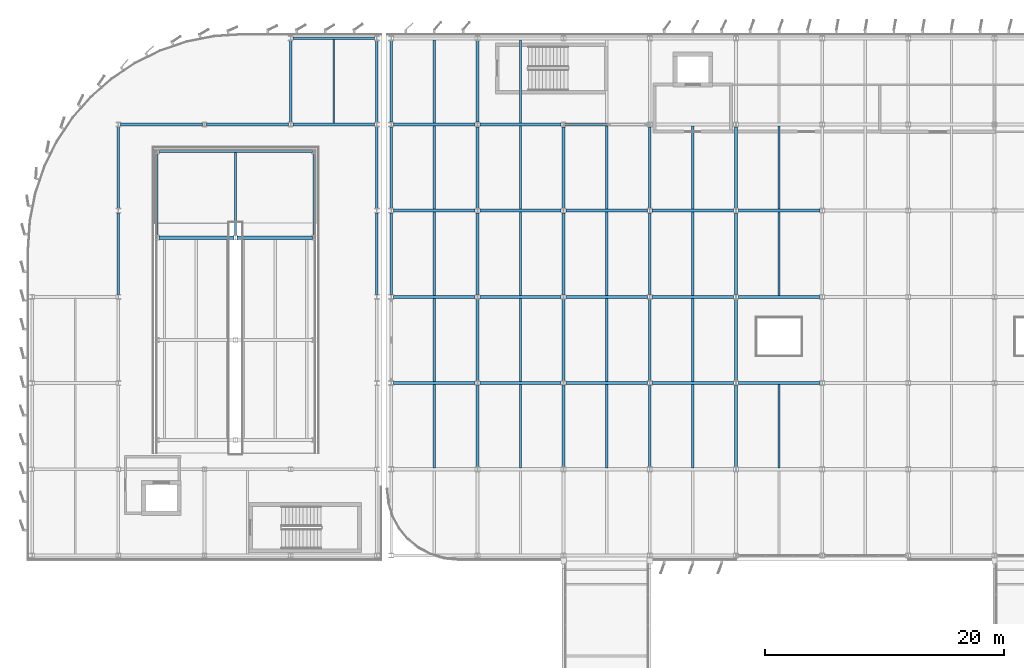
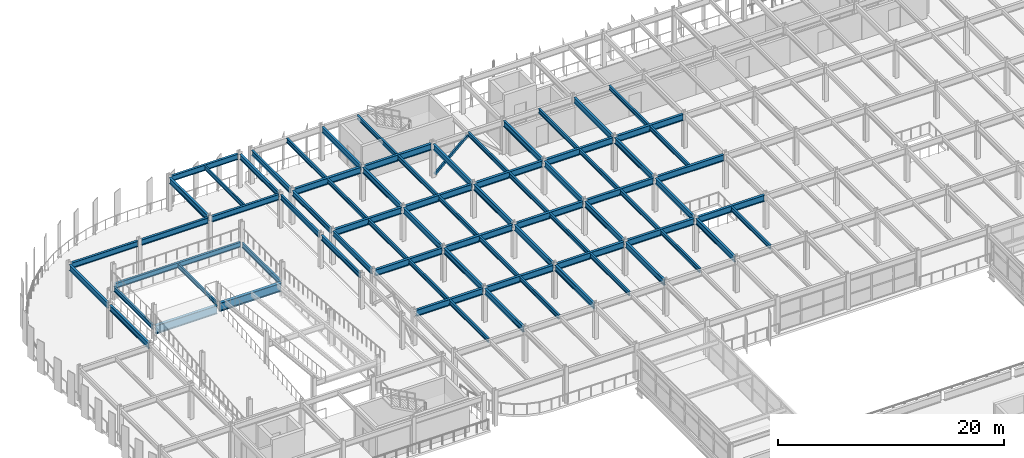
# One storey, part 25 of 93: 75 beams, 1 member.
"""IFC4 building model written with IfcOpenShell, lengths in metres."""

import ifcopenshell
import ifcopenshell.guid

model = None  # the IFC model being written
_history = None  # IfcOwnerHistory: only IFC2X3 demands one
_inside = {}  # id of a spatial element -> (the spatial element, [elements in it])
_under = {}  # id of a project, library or spatial element -> (it, [spatial elements below it])
_declared = {}  # id of a project -> (the project, [libraries it declares])
_typed = {}  # id of a type object -> (the type object, [elements of that type])
_made_of = {}  # id of a material, layer set ... -> (it, [elements and type objects made of it])


def new_model(schema):
    """Start an empty IFC model of exactly this schema.

    Asked for "IFC4X3", IfcOpenShell would pick the latest addendum, in which some entities
    have other attributes; the version numbers below select the first issue.
    IFC2X3 requires an IfcOwnerHistory on every rooted entity: one is made here for all.
    """
    global model, _history
    if schema == "IFC4X3":
        model = ifcopenshell.file(schema_version=(4, 3, 0, 0))
    else:
        model = ifcopenshell.file(schema=schema)
    _inside.clear()
    _under.clear()
    _declared.clear()
    _typed.clear()
    _made_of.clear()
    _history = None
    if model.schema == "IFC2X3":
        org = make("IfcOrganization", Name="unknown")
        user = make(
            "IfcPersonAndOrganization",
            ThePerson=make("IfcPerson", FamilyName="unknown"),
            TheOrganization=org,
        )
        app = make(
            "IfcApplication",
            ApplicationDeveloper=org,
            Version="unknown",
            ApplicationFullName="unknown",
            ApplicationIdentifier="unknown",
        )
        _history = make(
            "IfcOwnerHistory",
            OwningUser=user,
            OwningApplication=app,
            ChangeAction="ADDED",
            CreationDate=0,
        )
    return model


def make(cls, **values):
    """One entity of the class cls with the attributes given. An attribute that is None is left unset."""
    return model.create_entity(
        cls, **{name: value for name, value in values.items() if value is not None}
    )


def rooted(cls, **values):
    """An entity with a GlobalId (a new one), such as an element, a storey or a relation."""
    return make(cls, GlobalId=ifcopenshell.guid.new(), OwnerHistory=_history, **values)


def si_unit(unit_type, name, prefix=None):
    """IfcSIUnit, for example si_unit("LENGTHUNIT", "METRE", prefix="MILLI")."""
    return make("IfcSIUnit", UnitType=unit_type, Prefix=prefix, Name=name)


def assignment(units):
    """IfcUnitAssignment: the units of a project."""
    return None if units is None else make("IfcUnitAssignment", Units=units)


def point(xyz):
    """IfcCartesianPoint."""
    return None if xyz is None else make("IfcCartesianPoint", Coordinates=xyz)


def direction(xyz):
    """IfcDirection."""
    return None if xyz is None else make("IfcDirection", DirectionRatios=xyz)


def frame(location, z_axis=None, x_axis=None):
    """IfcAxis2Placement3D, a coordinate frame: its origin and axes. An axis left out is left unset."""
    return make(
        "IfcAxis2Placement3D",
        Location=point(location),
        Axis=direction(z_axis),
        RefDirection=direction(x_axis),
    )


def frame_2d(location, x_axis=None):
    """IfcAxis2Placement2D, a coordinate frame in the plane: its origin and x axis."""
    return make(
        "IfcAxis2Placement2D", Location=point(location), RefDirection=direction(x_axis)
    )


def origin():
    """The frame at (0, 0, 0) with its axes left unset."""
    return frame((0.0, 0.0, 0.0))


def origin_2d():
    """The frame at (0, 0) in the plane with its x axis left unset."""
    return frame_2d((0.0, 0.0))


def place(relative_to, where):
    """IfcLocalPlacement: puts the frame where relative to a parent placement (None: the world)."""
    return make(
        "IfcLocalPlacement", PlacementRelTo=relative_to, RelativePlacement=where
    )


def context(
    kind, dimensions, precision=None, world=None, true_north=None, identifier=None
):
    """IfcGeometricRepresentationContext, for example the 3D "Model" context."""
    return make(
        "IfcGeometricRepresentationContext",
        ContextIdentifier=identifier,
        ContextType=kind,
        CoordinateSpaceDimension=dimensions,
        Precision=precision,
        WorldCoordinateSystem=world,
        TrueNorth=true_north,
    )


def subcontext(parent, identifier, kind, view, scale=None):
    """IfcGeometricRepresentationSubContext, for example "Body" below "Model"."""
    return make(
        "IfcGeometricRepresentationSubContext",
        ContextIdentifier=identifier,
        ContextType=kind,
        ParentContext=parent,
        TargetScale=scale,
        TargetView=view,
    )


def project(units=None, contexts=None):
    """IfcProject with its units and contexts."""
    return rooted(
        "IfcProject",
        Name="project",
        RepresentationContexts=contexts,
        UnitsInContext=assignment(units),
    )


def spatial(cls, under=None, at=None, **own):
    """A site, building, storey or space (cls), placed at a placement, below another one or the project."""
    s = rooted(cls, ObjectPlacement=at, **own)
    if under is not None:
        _under.setdefault(under.id(), (under, []))[1].append(s)
    return s


def profile(cls, at=None, kind="AREA", **sizes):
    """A parametric profile (cls). Its sizes go by their IFC names, for example OverallWidth=200.0."""
    return make(cls, ProfileType=kind, Position=at, **sizes)


def hollow_rectangle(**sizes):
    """IfcRectangleHollowProfileDef."""
    return profile("IfcRectangleHollowProfileDef", **sizes)


def i_section(**sizes):
    """IfcIShapeProfileDef."""
    return profile("IfcIShapeProfileDef", **sizes)


def extrude(swept, where, along, depth):
    """IfcExtrudedAreaSolid: the profile swept, set in the frame where, extruded along a direction by depth."""
    return make(
        "IfcExtrudedAreaSolid",
        SweptArea=swept,
        Position=where,
        ExtrudedDirection=direction(along),
        Depth=depth,
    )


def shape(context_of_items, identifier, shape_type, items):
    """IfcShapeRepresentation: the items that make up one representation, for example the "Body"."""
    return make(
        "IfcShapeRepresentation",
        ContextOfItems=context_of_items,
        RepresentationIdentifier=identifier,
        RepresentationType=shape_type,
        Items=items,
    )


def material(Name=None, Category=None):
    """IfcMaterial."""
    return make("IfcMaterial", Name=Name, Category=Category)


def material_profile(
    of_material, cross_section, Name=None, Category=None, Priority=None
):
    """IfcMaterialProfile: a cross section and its material."""
    return make(
        "IfcMaterialProfile",
        Name=Name,
        Material=of_material,
        Profile=cross_section,
        Priority=Priority,
        Category=Category,
    )


def profile_set(profiles, Name=None, composite=None):
    """IfcMaterialProfileSet."""
    return make(
        "IfcMaterialProfileSet",
        Name=Name,
        MaterialProfiles=profiles,
        CompositeProfile=composite,
    )


def made_of(thing, what):
    """Note that an element or type object is made of a material, layer set ...; save() writes the relation."""
    if what is not None:
        _made_of.setdefault(what.id(), (what, []))[1].append(thing)
    return thing


def type_object(cls, material=None, **own):
    """A type object (cls), such as IfcWallType, which elements share."""
    return made_of(rooted(cls, **own), material)


def element(
    cls,
    number,
    at=None,
    inside=None,
    cuts=None,
    type_object=None,
    material=None,
    context=None,
    identifier="Body",
    shape_type=None,
    held_by="IfcProductDefinitionShape",
    body=None,
    shapes=None,
    **own,
):
    """One element of the class cls, such as IfcWall. Its Tag is "e" and its number.

    at: its placement. inside: the storey or other place that contains it. cuts: it is an
    opening in that element (IfcRelVoidsElement). A single representation is given by context,
    identifier, shape_type and body (its items); several are given by shapes. held_by: the class
    of the entity that holds the representations. save() writes the other relations.
    """
    e = rooted(cls, Tag="e%d" % number, ObjectPlacement=at, **own)
    if body is not None:
        shapes = [shape(context, identifier, shape_type, body)]
    if shapes is not None:
        e.Representation = make(held_by, Representations=shapes)
    if inside is not None:
        _inside.setdefault(inside.id(), (inside, []))[1].append(e)
    if cuts is not None:
        rooted(
            "IfcRelVoidsElement", RelatingBuildingElement=cuts, RelatedOpeningElement=e
        )
    if type_object is not None:
        _typed.setdefault(type_object.id(), (type_object, []))[1].append(e)
    return made_of(e, material)


def aggregate(whole, parts):
    """IfcRelAggregates: a whole, such as a stair, and the parts it consists of."""
    return rooted("IfcRelAggregates", RelatingObject=whole, RelatedObjects=parts)


def save(model, path):
    """Write the relations noted so far, then the file.

    IfcRelAggregates (storeys below a building ...), IfcRelContainedInSpatialStructure (elements
    in a storey), IfcRelDefinesByType, IfcRelAssociatesMaterial and IfcRelDeclares: one each for
    every whole, place, type object, material and project.
    """
    for whole, parts in _under.values():
        aggregate(whole, parts)
    for where, things in _inside.values():
        rooted(
            "IfcRelContainedInSpatialStructure",
            RelatedElements=things,
            RelatingStructure=where,
        )
    for kind, things in _typed.values():
        rooted("IfcRelDefinesByType", RelatedObjects=things, RelatingType=kind)
    for what, things in _made_of.values():
        rooted("IfcRelAssociatesMaterial", RelatedObjects=things, RelatingMaterial=what)
    for by, libraries in _declared.values():
        rooted("IfcRelDeclares", RelatingContext=by, RelatedDefinitions=libraries)
    model.write(path)


model = new_model("IFC4")

# Units and contexts
model_context = context("Model", 3, precision=1e-05, world=origin(), true_north=direction((0.0, 1.0)))
body_context = subcontext(model_context, "Body", "Model", "MODEL_VIEW")
ifc_project = project(units=[si_unit("LENGTHUNIT", "METRE"), si_unit("AREAUNIT", "SQUARE_METRE"), si_unit("VOLUMEUNIT", "CUBIC_METRE"), si_unit("PLANEANGLEUNIT", "RADIAN"), si_unit("MASSUNIT", "GRAM", prefix="KILO")], contexts=[model_context])

# Site, building, storey
site_placement = place(None, origin())
site = spatial("IfcSite", under=ifc_project, at=site_placement, CompositionType="ELEMENT")
building_placement = place(site_placement, origin())
building = spatial("IfcBuilding", under=site, at=building_placement, Name="Vaelcorin Mobility Hub", CompositionType="ELEMENT")
storey_placement = place(building_placement, frame((0.0, 0.0, 5.39990234375)))
storey = spatial("IfcBuildingStorey", under=building, at=storey_placement, Name="L01", CompositionType="ELEMENT", Elevation=5.39990234375)

# Beams
ifc_material_1 = material(Name="Steel ASTM A992 Grade 50", Category="steel")
ifc_material_profile_1 = material_profile(ifc_material_1, i_section(OverallWidth=0.152099609375, OverallDepth=0.455078125, WebThickness=0.008056640625, FlangeThickness=0.01318359375, FilletRadius=0.012939453125, at=origin_2d()), Name="W18X40")
ifc_profile_set_1 = profile_set([ifc_material_profile_1], Name="Steel ASTM A992 Grade 50")
beam_type_1 = type_object("IfcBeamType", Name="BM-W18X40", PredefinedType="JOIST", material=ifc_profile_set_1)
beam_1_placement = place(storey_placement, frame((31.199951171875, 112.912109375, 3.423095703125), z_axis=(0.0, 1.0, 0.0), x_axis=(-1.0, 0.0, 0.0)))
element("IfcBeam", 1, at=beam_1_placement, inside=storey, type_object=beam_type_1, Name="L01 Beam V2W-L01-J-04-06-1", PredefinedType="JOIST", context=body_context, shape_type="SweptSolid", body=[
    extrude(i_section(OverallWidth=0.152099609375, OverallDepth=0.455078125, WebThickness=0.008056640625, FlangeThickness=0.01318359375, FilletRadius=0.012939453125, at=origin_2d()), origin(), (0.0, 0.0, 1.0), 6.975830078125),
])
beam_2_placement = place(storey_placement, frame((23.0, 103.52490234375, 1.442138671875), z_axis=(0.0, 1.0, 0.0), x_axis=(-1.0, 0.0, 0.0)))
element("IfcBeam", 2, at=beam_2_placement, inside=storey, type_object=beam_type_1, Name="Vehicle Ramp VR-1 L01 Landing Mid Joist", PredefinedType="JOIST", context=body_context, shape_type="SweptSolid", body=[
    extrude(i_section(OverallWidth=0.152099609375, OverallDepth=0.455078125, WebThickness=0.008056640625, FlangeThickness=0.01318359375, FilletRadius=0.012939453125, at=origin_2d()), origin(), (0.0, 0.0, 1.0), 6.922119140625),
])
ifc_material_profile_2 = material_profile(ifc_material_1, i_section(OverallWidth=0.19189453125, OverallDepth=0.4619140625, WebThickness=0.010498046875, FlangeThickness=0.017578125, FilletRadius=0.012939453125, at=origin_2d()), Name="W18X60")
ifc_profile_set_2 = profile_set([ifc_material_profile_2], Name="Steel ASTM A992 Grade 50")
beam_type_2 = type_object("IfcBeamType", Name="BM-W18X60", PredefinedType="JOIST", material=ifc_profile_set_2)
for number, where, z_axis, x_axis, name in (
    (3, (39.60009765625, 84.125, 3.439208984375), (0.0, 1.0, 0.0), (-1.0, 0.0, 0.0), "L01 Beam V4-L01-J-01-02-1"),
    (4, (39.60009765625, 91.324951171875, 3.439208984375), (0.0, 1.0, 0.0), (-1.0, 0.0, 0.0), "L01 Beam V4-L01-J-01-03-1"),
):
    element("IfcBeam", number, at=place(storey_placement, frame(where, z_axis=z_axis, x_axis=x_axis)), inside=storey, type_object=beam_type_2, Name=name, PredefinedType="JOIST", context=body_context, shape_type="SweptSolid", body=[
        extrude(i_section(OverallWidth=0.19189453125, OverallDepth=0.4619140625, WebThickness=0.010498046875, FlangeThickness=0.017578125, FilletRadius=0.012939453125, at=origin_2d()), origin(), (0.0, 0.0, 1.0), 6.949951171875),
    ])
beam_3_placement = place(storey_placement, frame((39.60009765625, 98.52490234375, 3.439208984375), z_axis=(0.0, 1.0, 0.0), x_axis=(-1.0, 0.0, 0.0)))
element("IfcBeam", 5, at=beam_3_placement, inside=storey, type_object=beam_type_2, Name="L01 Beam V4-L01-J-01-04-1", PredefinedType="JOIST", context=body_context, shape_type="SweptSolid", body=[
    extrude(i_section(OverallWidth=0.19189453125, OverallDepth=0.4619140625, WebThickness=0.010498046875, FlangeThickness=0.017578125, FilletRadius=0.012939453125, at=origin_2d()), origin(), (0.0, 0.0, 1.0), 6.9501953125),
])
for number, where, z_axis, x_axis, name in (
    (6, (39.60009765625, 105.72509765625, 3.439208984375), (0.0, 1.0, 0.0), (-1.0, 0.0, 0.0), "L01 Beam V4-L01-J-01-05-1"),
    (7, (39.60009765625, 112.925048828125, 3.439208984375), (0.0, 1.0, 0.0), (-1.0, 0.0, 0.0), "L01 Beam V4-L01-J-01-06-1"),
    (8, (46.800048828125, 84.125, 3.439208984375), (0.0, 1.0, 0.0), (-1.0, 0.0, 0.0), "L01 Beam V4-L01-J-02-02-1"),
    (9, (46.800048828125, 91.324951171875, 3.439208984375), (0.0, 1.0, 0.0), (-1.0, 0.0, 0.0), "L01 Beam V4-L01-J-02-03-1"),
):
    element("IfcBeam", number, at=place(storey_placement, frame(where, z_axis=z_axis, x_axis=x_axis)), inside=storey, type_object=beam_type_2, Name=name, PredefinedType="JOIST", context=body_context, shape_type="SweptSolid", body=[
        extrude(i_section(OverallWidth=0.19189453125, OverallDepth=0.4619140625, WebThickness=0.010498046875, FlangeThickness=0.017578125, FilletRadius=0.012939453125, at=origin_2d()), origin(), (0.0, 0.0, 1.0), 6.949951171875),
    ])
beam_4_placement = place(storey_placement, frame((46.800048828125, 98.52490234375, 3.439208984375), z_axis=(0.0, 1.0, 0.0), x_axis=(-1.0, 0.0, 0.0)))
element("IfcBeam", 10, at=beam_4_placement, inside=storey, type_object=beam_type_2, Name="L01 Beam V4-L01-J-02-04-1", PredefinedType="JOIST", context=body_context, shape_type="SweptSolid", body=[
    extrude(i_section(OverallWidth=0.19189453125, OverallDepth=0.4619140625, WebThickness=0.010498046875, FlangeThickness=0.017578125, FilletRadius=0.012939453125, at=origin_2d()), origin(), (0.0, 0.0, 1.0), 6.9501953125),
])
for number, where, z_axis, x_axis, name in (
    (11, (46.800048828125, 105.72509765625, 3.439208984375), (0.0, 1.0, 0.0), (-1.0, 0.0, 0.0), "L01 Beam V4-L01-J-02-05-1"),
    (12, (46.800048828125, 112.925048828125, 3.439208984375), (0.0, 1.0, 0.0), (-1.0, 0.0, 0.0), "L01 Beam V4-L01-J-02-06-1"),
    (13, (54.0, 84.125, 3.439208984375), (0.0, 1.0, 0.0), (-1.0, 0.0, 0.0), "L01 Beam V4-L01-J-03-02-1"),
    (14, (54.0, 91.324951171875, 3.439208984375), (0.0, 1.0, 0.0), (-1.0, 0.0, 0.0), "L01 Beam V4-L01-J-03-03-1"),
):
    element("IfcBeam", number, at=place(storey_placement, frame(where, z_axis=z_axis, x_axis=x_axis)), inside=storey, type_object=beam_type_2, Name=name, PredefinedType="JOIST", context=body_context, shape_type="SweptSolid", body=[
        extrude(i_section(OverallWidth=0.19189453125, OverallDepth=0.4619140625, WebThickness=0.010498046875, FlangeThickness=0.017578125, FilletRadius=0.012939453125, at=origin_2d()), origin(), (0.0, 0.0, 1.0), 6.949951171875),
    ])
beam_5_placement = place(storey_placement, frame((54.0, 98.52490234375, 3.439208984375), z_axis=(0.0, 1.0, 0.0), x_axis=(-1.0, 0.0, 0.0)))
element("IfcBeam", 15, at=beam_5_placement, inside=storey, type_object=beam_type_2, Name="L01 Beam V4-L01-J-03-04-1", PredefinedType="JOIST", context=body_context, shape_type="SweptSolid", body=[
    extrude(i_section(OverallWidth=0.19189453125, OverallDepth=0.4619140625, WebThickness=0.010498046875, FlangeThickness=0.017578125, FilletRadius=0.012939453125, at=origin_2d()), origin(), (0.0, 0.0, 1.0), 6.9501953125),
])
for number, where, z_axis, x_axis, name in (
    (16, (54.0, 105.72509765625, 3.439208984375), (0.0, 1.0, 0.0), (-1.0, 0.0, 0.0), "L01 Beam V4-L01-J-03-05-1"),
    (17, (61.199951171875, 84.125, 3.439208984375), (0.0, 1.0, 0.0), (-1.0, 0.0, 0.0), "L01 Beam V4-L01-J-04-02-1"),
    (18, (61.199951171875, 91.324951171875, 3.439208984375), (0.0, 1.0, 0.0), (-1.0, 0.0, 0.0), "L01 Beam V4-L01-J-04-03-1"),
):
    element("IfcBeam", number, at=place(storey_placement, frame(where, z_axis=z_axis, x_axis=x_axis)), inside=storey, type_object=beam_type_2, Name=name, PredefinedType="JOIST", context=body_context, shape_type="SweptSolid", body=[
        extrude(i_section(OverallWidth=0.19189453125, OverallDepth=0.4619140625, WebThickness=0.010498046875, FlangeThickness=0.017578125, FilletRadius=0.012939453125, at=origin_2d()), origin(), (0.0, 0.0, 1.0), 6.949951171875),
    ])
beam_6_placement = place(storey_placement, frame((61.199951171875, 98.52490234375, 3.439208984375), z_axis=(0.0, 1.0, 0.0), x_axis=(-1.0, 0.0, 0.0)))
element("IfcBeam", 19, at=beam_6_placement, inside=storey, type_object=beam_type_2, Name="L01 Beam V4-L01-J-04-04-1", PredefinedType="JOIST", context=body_context, shape_type="SweptSolid", body=[
    extrude(i_section(OverallWidth=0.19189453125, OverallDepth=0.4619140625, WebThickness=0.010498046875, FlangeThickness=0.017578125, FilletRadius=0.012939453125, at=origin_2d()), origin(), (0.0, 0.0, 1.0), 6.9501953125),
])
for number, where, z_axis, x_axis, name in (
    (20, (61.199951171875, 105.72509765625, 3.439208984375), (0.0, 1.0, 0.0), (-1.0, 0.0, 0.0), "L01 Beam V4-L01-J-04-05-1"),
    (21, (68.39990234375, 84.125, 3.439208984375), (0.0, 1.0, 0.0), (-1.0, 0.0, 0.0), "L01 Beam V4-L01-J-05-02-1"),
):
    element("IfcBeam", number, at=place(storey_placement, frame(where, z_axis=z_axis, x_axis=x_axis)), inside=storey, type_object=beam_type_2, Name=name, PredefinedType="JOIST", context=body_context, shape_type="SweptSolid", body=[
        extrude(i_section(OverallWidth=0.19189453125, OverallDepth=0.4619140625, WebThickness=0.010498046875, FlangeThickness=0.017578125, FilletRadius=0.012939453125, at=origin_2d()), origin(), (0.0, 0.0, 1.0), 6.949951171875),
    ])
beam_7_placement = place(storey_placement, frame((68.39990234375, 98.52490234375, 3.439208984375), z_axis=(0.0, 1.0, 0.0), x_axis=(-1.0, 0.0, 0.0)))
element("IfcBeam", 22, at=beam_7_placement, inside=storey, type_object=beam_type_2, Name="L01 Beam V4-L01-J-05-04-1", PredefinedType="JOIST", context=body_context, shape_type="SweptSolid", body=[
    extrude(i_section(OverallWidth=0.19189453125, OverallDepth=0.4619140625, WebThickness=0.010498046875, FlangeThickness=0.017578125, FilletRadius=0.012939453125, at=origin_2d()), origin(), (0.0, 0.0, 1.0), 6.9501953125),
])
beam_8_placement = place(storey_placement, frame((68.39990234375, 105.72509765625, 3.439208984375), z_axis=(0.0, 1.0, 0.0), x_axis=(-1.0, 0.0, 0.0)))
element("IfcBeam", 23, at=beam_8_placement, inside=storey, type_object=beam_type_2, Name="L01 Beam V4-L01-J-05-05-1", PredefinedType="JOIST", context=body_context, shape_type="SweptSolid", body=[
    extrude(i_section(OverallWidth=0.19189453125, OverallDepth=0.4619140625, WebThickness=0.010498046875, FlangeThickness=0.017578125, FilletRadius=0.012939453125, at=origin_2d()), origin(), (0.0, 0.0, 1.0), 6.949951171875),
])
ifc_material_profile_3 = material_profile(ifc_material_1, i_section(OverallWidth=0.166015625, OverallDepth=0.528076171875, WebThickness=0.009765625, FlangeThickness=0.013671875, FilletRadius=0.013916015625, at=origin_2d()), Name="W21X50")
ifc_profile_set_3 = profile_set([ifc_material_profile_3], Name="Steel ASTM A992 Grade 50")
beam_type_3 = type_object("IfcBeamType", Name="BM-W21X50", PredefinedType="JOIST", material=ifc_profile_set_3)
for number, where, z_axis, x_axis, name in (
    (24, (16.449951171875, 103.52490234375, 1.254150390625), (0.0, 1.0, 0.0), (-1.0, 0.0, 0.0), "Vehicle Ramp VR-1 L01 Landing West Edge Beam"),
    (25, (29.550048828125, 103.52490234375, 1.397216796875), (0.0, 1.0, 0.0), (-1.0, 0.0, 0.0), "Vehicle Ramp VR-1 L01 Landing East Edge Beam"),
):
    element("IfcBeam", number, at=place(storey_placement, frame(where, z_axis=z_axis, x_axis=x_axis)), inside=storey, type_object=beam_type_3, Name=name, PredefinedType="JOIST", context=body_context, shape_type="SweptSolid", body=[
        extrude(i_section(OverallWidth=0.166015625, OverallDepth=0.528076171875, WebThickness=0.009765625, FlangeThickness=0.013671875, FilletRadius=0.013916015625, at=origin_2d()), origin(), (0.0, 0.0, 1.0), 6.85009765625),
    ])
ifc_material_profile_4 = material_profile(ifc_material_1, i_section(OverallWidth=0.2099609375, OverallDepth=0.535888671875, WebThickness=0.010986328125, FlangeThickness=0.017333984375, FilletRadius=0.013916015625, at=origin_2d()), Name="W21X68")
ifc_profile_set_4 = profile_set([ifc_material_profile_4], Name="Steel ASTM A992 Grade 50")
beam_type_4 = type_object("IfcBeamType", Name="BM-W21X68", PredefinedType="SPANDREL", material=ifc_profile_set_4)
beam_9_placement = place(storey_placement, frame((36.0, 98.589111328125, 3.402099609375), z_axis=(0.0, 1.0, 0.0), x_axis=(-1.0, 0.0, 0.0)))
element("IfcBeam", 26, at=beam_9_placement, inside=storey, type_object=beam_type_4, Name="L01 Beam V4-L01-GY-01-04", PredefinedType="SPANDREL", context=body_context, shape_type="SweptSolid", body=[
    extrude(i_section(OverallWidth=0.2099609375, OverallDepth=0.535888671875, WebThickness=0.010986328125, FlangeThickness=0.017333984375, FilletRadius=0.013916015625, at=origin_2d()), origin(), (0.0, 0.0, 1.0), 6.82177734375),
])
for number, where, z_axis, x_axis, name in (
    (27, (36.0, 105.7880859375, 3.402099609375), (0.0, 1.0, 0.0), (-1.0, 0.0, 0.0), "L01 Beam V4-L01-GY-01-05"),
    (28, (36.0, 112.9951171875, 3.402099609375), (0.0, 1.0, 0.0), (-1.0, 0.0, 0.0), "L01 Beam V4-L01-GY-01-06"),
):
    element("IfcBeam", number, at=place(storey_placement, frame(where, z_axis=z_axis, x_axis=x_axis)), inside=storey, type_object=beam_type_4, Name=name, PredefinedType="SPANDREL", context=body_context, shape_type="SweptSolid", body=[
        extrude(i_section(OverallWidth=0.2099609375, OverallDepth=0.535888671875, WebThickness=0.010986328125, FlangeThickness=0.017333984375, FilletRadius=0.013916015625, at=origin_2d()), origin(), (0.0, 0.0, 1.0), 6.81689453125),
    ])
for number, where, z_axis, x_axis, name in (
    (29, (34.800048828125, 98.583984375, 3.382080078125), (0.0, 1.0, 0.0), (-1.0, 0.0, 0.0), "L01 Beam V2W-L01-GY-05-04"),
    (30, (34.800048828125, 105.783935546875, 3.382080078125), (0.0, 1.0, 0.0), (-1.0, 0.0, 0.0), "L01 Beam V2W-L01-GY-05-05"),
    (31, (34.800048828125, 112.98388671875, 3.382080078125), (0.0, 1.0, 0.0), (-1.0, 0.0, 0.0), "L01 Beam V2W-L01-GY-05-06"),
):
    element("IfcBeam", number, at=place(storey_placement, frame(where, z_axis=z_axis, x_axis=x_axis)), inside=storey, type_object=beam_type_4, Name=name, PredefinedType="SPANDREL", context=body_context, shape_type="SweptSolid", body=[
        extrude(i_section(OverallWidth=0.2099609375, OverallDepth=0.535888671875, WebThickness=0.010986328125, FlangeThickness=0.017333984375, FilletRadius=0.013916015625, at=origin_2d()), origin(), (0.0, 0.0, 1.0), 6.83203125),
    ])
beam_10_placement = place(storey_placement, frame((16.580078125, 110.550048828125, 1.402099609375), z_axis=(1.0, 0.0, 0.0), x_axis=(0.0, 1.0, 0.0)))
element("IfcBeam", 32, at=beam_10_placement, inside=storey, type_object=beam_type_4, Name="Vehicle Ramp VR-1 L01 Landing Back Girder", PredefinedType="SPANDREL", context=body_context, shape_type="SweptSolid", body=[
    extrude(i_section(OverallWidth=0.2099609375, OverallDepth=0.535888671875, WebThickness=0.010986328125, FlangeThickness=0.017333984375, FilletRadius=0.013916015625, at=origin_2d()), origin(), (0.0, 0.0, 1.0), 12.83984375),
])
ifc_material_profile_5 = material_profile(ifc_material_1, i_section(OverallWidth=0.22802734375, OverallDepth=0.60205078125, WebThickness=0.010498046875, FlangeThickness=0.014892578125, FilletRadius=0.014892578125, at=origin_2d()), Name="W24X68")
ifc_profile_set_5 = profile_set([ifc_material_profile_5], Name="Steel ASTM A992 Grade 50")
beam_type_5 = type_object("IfcBeamType", Name="BM-W24X68", PredefinedType="SPANDREL", material=ifc_profile_set_5)
beam_11_placement = place(storey_placement, frame((27.783935546875, 120.0, 3.34912109375), z_axis=(1.0, 0.0, 0.0), x_axis=(0.0, 1.0, 0.0)))
element("IfcBeam", 33, at=beam_11_placement, inside=storey, type_object=beam_type_5, Name="L01 Beam V2W-L01-GX-07-04", PredefinedType="SPANDREL", context=body_context, shape_type="SweptSolid", body=[
    extrude(i_section(OverallWidth=0.22802734375, OverallDepth=0.60205078125, WebThickness=0.010498046875, FlangeThickness=0.014892578125, FilletRadius=0.014892578125, at=origin_2d()), origin(), (0.0, 0.0, 1.0), 6.83203125),
])
ifc_material_profile_6 = material_profile(ifc_material_1, i_section(OverallWidth=0.22900390625, OverallDepth=0.612060546875, WebThickness=0.011962890625, FlangeThickness=0.01953125, FilletRadius=0.014892578125, at=origin_2d()), Name="W24X84")
ifc_profile_set_6 = profile_set([ifc_material_profile_6], Name="Steel ASTM A992 Grade 50")
beam_type_6 = type_object("IfcBeamType", Name="BM-W24X84", PredefinedType="BEAM", material=ifc_profile_set_6)
beam_12_placement = place(storey_placement, frame((43.199951171875, 84.195068359375, 3.364013671875), z_axis=(0.0, 1.0, 0.0), x_axis=(-1.0, 0.0, 0.0)))
element("IfcBeam", 34, at=beam_12_placement, inside=storey, type_object=beam_type_6, Name="L01 Beam V4-L01-GY-02-02", PredefinedType="BEAM", context=body_context, shape_type="SweptSolid", body=[
    extrude(i_section(OverallWidth=0.22900390625, OverallDepth=0.612060546875, WebThickness=0.011962890625, FlangeThickness=0.01953125, FilletRadius=0.014892578125, at=origin_2d()), origin(), (0.0, 0.0, 1.0), 6.81689453125),
])
beam_13_placement = place(storey_placement, frame((43.199951171875, 91.388916015625, 3.364013671875), z_axis=(0.0, 1.0, 0.0), x_axis=(-1.0, 0.0, 0.0)))
element("IfcBeam", 35, at=beam_13_placement, inside=storey, type_object=beam_type_6, Name="L01 Beam V4-L01-GY-02-03", PredefinedType="BEAM", context=body_context, shape_type="SweptSolid", body=[
    extrude(i_section(OverallWidth=0.22900390625, OverallDepth=0.612060546875, WebThickness=0.011962890625, FlangeThickness=0.01953125, FilletRadius=0.014892578125, at=origin_2d()), origin(), (0.0, 0.0, 1.0), 6.822998046875),
])
beam_14_placement = place(storey_placement, frame((43.199951171875, 98.589111328125, 3.364013671875), z_axis=(0.0, 1.0, 0.0), x_axis=(-1.0, 0.0, 0.0)))
element("IfcBeam", 36, at=beam_14_placement, inside=storey, type_object=beam_type_6, Name="L01 Beam V4-L01-GY-02-04", PredefinedType="BEAM", context=body_context, shape_type="SweptSolid", body=[
    extrude(i_section(OverallWidth=0.22900390625, OverallDepth=0.612060546875, WebThickness=0.011962890625, FlangeThickness=0.01953125, FilletRadius=0.014892578125, at=origin_2d()), origin(), (0.0, 0.0, 1.0), 6.82177734375),
])
for number, where, z_axis, x_axis, name in (
    (37, (43.199951171875, 105.7880859375, 3.364013671875), (0.0, 1.0, 0.0), (-1.0, 0.0, 0.0), "L01 Beam V4-L01-GY-02-05"),
    (38, (43.199951171875, 112.9951171875, 3.364013671875), (0.0, 1.0, 0.0), (-1.0, 0.0, 0.0), "L01 Beam V4-L01-GY-02-06"),
    (39, (50.39990234375, 84.195068359375, 3.364013671875), (0.0, 1.0, 0.0), (-1.0, 0.0, 0.0), "L01 Beam V4-L01-GY-03-02"),
):
    element("IfcBeam", number, at=place(storey_placement, frame(where, z_axis=z_axis, x_axis=x_axis)), inside=storey, type_object=beam_type_6, Name=name, PredefinedType="BEAM", context=body_context, shape_type="SweptSolid", body=[
        extrude(i_section(OverallWidth=0.22900390625, OverallDepth=0.612060546875, WebThickness=0.011962890625, FlangeThickness=0.01953125, FilletRadius=0.014892578125, at=origin_2d()), origin(), (0.0, 0.0, 1.0), 6.81689453125),
    ])
beam_15_placement = place(storey_placement, frame((50.39990234375, 91.388916015625, 3.364013671875), z_axis=(0.0, 1.0, 0.0), x_axis=(-1.0, 0.0, 0.0)))
element("IfcBeam", 40, at=beam_15_placement, inside=storey, type_object=beam_type_6, Name="L01 Beam V4-L01-GY-03-03", PredefinedType="BEAM", context=body_context, shape_type="SweptSolid", body=[
    extrude(i_section(OverallWidth=0.22900390625, OverallDepth=0.612060546875, WebThickness=0.011962890625, FlangeThickness=0.01953125, FilletRadius=0.014892578125, at=origin_2d()), origin(), (0.0, 0.0, 1.0), 6.822998046875),
])
beam_16_placement = place(storey_placement, frame((50.39990234375, 98.589111328125, 3.364013671875), z_axis=(0.0, 1.0, 0.0), x_axis=(-1.0, 0.0, 0.0)))
element("IfcBeam", 41, at=beam_16_placement, inside=storey, type_object=beam_type_6, Name="L01 Beam V4-L01-GY-03-04", PredefinedType="BEAM", context=body_context, shape_type="SweptSolid", body=[
    extrude(i_section(OverallWidth=0.22900390625, OverallDepth=0.612060546875, WebThickness=0.011962890625, FlangeThickness=0.01953125, FilletRadius=0.014892578125, at=origin_2d()), origin(), (0.0, 0.0, 1.0), 6.82177734375),
])
for number, where, z_axis, x_axis, name in (
    (42, (50.39990234375, 105.7880859375, 3.364013671875), (0.0, 1.0, 0.0), (-1.0, 0.0, 0.0), "L01 Beam V4-L01-GY-03-05"),
    (43, (57.60009765625, 84.195068359375, 3.364013671875), (0.0, 1.0, 0.0), (-1.0, 0.0, 0.0), "L01 Beam V4-L01-GY-04-02"),
):
    element("IfcBeam", number, at=place(storey_placement, frame(where, z_axis=z_axis, x_axis=x_axis)), inside=storey, type_object=beam_type_6, Name=name, PredefinedType="BEAM", context=body_context, shape_type="SweptSolid", body=[
        extrude(i_section(OverallWidth=0.22900390625, OverallDepth=0.612060546875, WebThickness=0.011962890625, FlangeThickness=0.01953125, FilletRadius=0.014892578125, at=origin_2d()), origin(), (0.0, 0.0, 1.0), 6.81689453125),
    ])
beam_17_placement = place(storey_placement, frame((57.60009765625, 91.388916015625, 3.364013671875), z_axis=(0.0, 1.0, 0.0), x_axis=(-1.0, 0.0, 0.0)))
element("IfcBeam", 44, at=beam_17_placement, inside=storey, type_object=beam_type_6, Name="L01 Beam V4-L01-GY-04-03", PredefinedType="BEAM", context=body_context, shape_type="SweptSolid", body=[
    extrude(i_section(OverallWidth=0.22900390625, OverallDepth=0.612060546875, WebThickness=0.011962890625, FlangeThickness=0.01953125, FilletRadius=0.014892578125, at=origin_2d()), origin(), (0.0, 0.0, 1.0), 6.822998046875),
])
beam_18_placement = place(storey_placement, frame((57.60009765625, 98.589111328125, 3.364013671875), z_axis=(0.0, 1.0, 0.0), x_axis=(-1.0, 0.0, 0.0)))
element("IfcBeam", 45, at=beam_18_placement, inside=storey, type_object=beam_type_6, Name="L01 Beam V4-L01-GY-04-04", PredefinedType="BEAM", context=body_context, shape_type="SweptSolid", body=[
    extrude(i_section(OverallWidth=0.22900390625, OverallDepth=0.612060546875, WebThickness=0.011962890625, FlangeThickness=0.01953125, FilletRadius=0.014892578125, at=origin_2d()), origin(), (0.0, 0.0, 1.0), 6.82177734375),
])
for number, where, z_axis, x_axis, name in (
    (46, (57.60009765625, 105.7880859375, 3.364013671875), (0.0, 1.0, 0.0), (-1.0, 0.0, 0.0), "L01 Beam V4-L01-GY-04-05"),
    (47, (64.800048828125, 84.195068359375, 3.364013671875), (0.0, 1.0, 0.0), (-1.0, 0.0, 0.0), "L01 Beam V4-L01-GY-05-02"),
):
    element("IfcBeam", number, at=place(storey_placement, frame(where, z_axis=z_axis, x_axis=x_axis)), inside=storey, type_object=beam_type_6, Name=name, PredefinedType="BEAM", context=body_context, shape_type="SweptSolid", body=[
        extrude(i_section(OverallWidth=0.22900390625, OverallDepth=0.612060546875, WebThickness=0.011962890625, FlangeThickness=0.01953125, FilletRadius=0.014892578125, at=origin_2d()), origin(), (0.0, 0.0, 1.0), 6.81689453125),
    ])
beam_19_placement = place(storey_placement, frame((64.800048828125, 91.388916015625, 3.364013671875), z_axis=(0.0, 1.0, 0.0), x_axis=(-1.0, 0.0, 0.0)))
element("IfcBeam", 48, at=beam_19_placement, inside=storey, type_object=beam_type_6, Name="L01 Beam V4-L01-GY-05-03", PredefinedType="BEAM", context=body_context, shape_type="SweptSolid", body=[
    extrude(i_section(OverallWidth=0.22900390625, OverallDepth=0.612060546875, WebThickness=0.011962890625, FlangeThickness=0.01953125, FilletRadius=0.014892578125, at=origin_2d()), origin(), (0.0, 0.0, 1.0), 6.822998046875),
])
beam_20_placement = place(storey_placement, frame((64.800048828125, 98.589111328125, 3.364013671875), z_axis=(0.0, 1.0, 0.0), x_axis=(-1.0, 0.0, 0.0)))
element("IfcBeam", 49, at=beam_20_placement, inside=storey, type_object=beam_type_6, Name="L01 Beam V4-L01-GY-05-04", PredefinedType="BEAM", context=body_context, shape_type="SweptSolid", body=[
    extrude(i_section(OverallWidth=0.22900390625, OverallDepth=0.612060546875, WebThickness=0.011962890625, FlangeThickness=0.01953125, FilletRadius=0.014892578125, at=origin_2d()), origin(), (0.0, 0.0, 1.0), 6.82177734375),
])
beam_21_placement = place(storey_placement, frame((64.800048828125, 105.7880859375, 3.364013671875), z_axis=(0.0, 1.0, 0.0), x_axis=(-1.0, 0.0, 0.0)))
element("IfcBeam", 50, at=beam_21_placement, inside=storey, type_object=beam_type_6, Name="L01 Beam V4-L01-GY-05-05", PredefinedType="BEAM", context=body_context, shape_type="SweptSolid", body=[
    extrude(i_section(OverallWidth=0.22900390625, OverallDepth=0.612060546875, WebThickness=0.011962890625, FlangeThickness=0.01953125, FilletRadius=0.014892578125, at=origin_2d()), origin(), (0.0, 0.0, 1.0), 6.81689453125),
])
for number, where, z_axis, x_axis, name in (
    (51, (13.384033203125, 112.800048828125, 3.343994140625), (1.0, 0.0, 0.0), (0.0, 1.0, 0.0), "L01 Beam V2W-L01-GX-06-02"),
    (52, (20.583984375, 112.800048828125, 3.343994140625), (1.0, 0.0, 0.0), (0.0, 1.0, 0.0), "L01 Beam V2W-L01-GX-06-03"),
    (53, (27.783935546875, 112.800048828125, 3.343994140625), (1.0, 0.0, 0.0), (0.0, 1.0, 0.0), "L01 Beam V2W-L01-GX-06-04"),
    (54, (13.199951171875, 98.583984375, 3.343994140625), (0.0, 1.0, 0.0), (-1.0, 0.0, 0.0), "L01 Beam V2W-L01-GY-02-04"),
    (55, (13.199951171875, 105.783935546875, 3.343994140625), (0.0, 1.0, 0.0), (-1.0, 0.0, 0.0), "L01 Beam V2W-L01-GY-02-05"),
    (56, (27.60009765625, 112.98388671875, 3.343994140625), (0.0, 1.0, 0.0), (-1.0, 0.0, 0.0), "L01 Beam V2W-L01-GY-04-06"),
):
    element("IfcBeam", number, at=place(storey_placement, frame(where, z_axis=z_axis, x_axis=x_axis)), inside=storey, type_object=beam_type_6, Name=name, PredefinedType="BEAM", context=body_context, shape_type="SweptSolid", body=[
        extrude(i_section(OverallWidth=0.22900390625, OverallDepth=0.612060546875, WebThickness=0.011962890625, FlangeThickness=0.01953125, FilletRadius=0.014892578125, at=origin_2d()), origin(), (0.0, 0.0, 1.0), 6.83203125),
    ])
ifc_material_profile_7 = material_profile(ifc_material_1, i_section(OverallWidth=0.25390625, OverallDepth=0.68310546875, WebThickness=0.012451171875, FlangeThickness=0.018798828125, FilletRadius=0.01611328125, at=origin_2d()), Name="W27X94")
ifc_profile_set_7 = profile_set([ifc_material_profile_7], Name="Steel ASTM A992 Grade 50")
beam_type_7 = type_object("IfcBeamType", Name="BM-W27X94", PredefinedType="BEAM", material=ifc_profile_set_7)
beam_22_placement = place(storey_placement, frame((36.196044921875, 91.199951171875, 3.328125), z_axis=(1.0, 0.0, 0.0), x_axis=(0.0, 1.0, 0.0)))
element("IfcBeam", 57, at=beam_22_placement, inside=storey, type_object=beam_type_7, Name="L01 Beam V4-L01-GX-03-01", PredefinedType="BEAM", context=body_context, shape_type="SweptSolid", body=[
    extrude(i_section(OverallWidth=0.25390625, OverallDepth=0.68310546875, WebThickness=0.012451171875, FlangeThickness=0.018798828125, FilletRadius=0.01611328125, at=origin_2d()), origin(), (0.0, 0.0, 1.0), 6.807861328125),
])
for number, where, z_axis, x_axis, name in (
    (58, (43.39599609375, 91.199951171875, 3.328125), (1.0, 0.0, 0.0), (0.0, 1.0, 0.0), "L01 Beam V4-L01-GX-03-02"),
    (59, (50.595947265625, 91.199951171875, 3.328125), (1.0, 0.0, 0.0), (0.0, 1.0, 0.0), "L01 Beam V4-L01-GX-03-03"),
    (60, (57.7958984375, 91.199951171875, 3.328125), (1.0, 0.0, 0.0), (0.0, 1.0, 0.0), "L01 Beam V4-L01-GX-03-04"),
):
    element("IfcBeam", number, at=place(storey_placement, frame(where, z_axis=z_axis, x_axis=x_axis)), inside=storey, type_object=beam_type_7, Name=name, PredefinedType="BEAM", context=body_context, shape_type="SweptSolid", body=[
        extrude(i_section(OverallWidth=0.25390625, OverallDepth=0.68310546875, WebThickness=0.012451171875, FlangeThickness=0.018798828125, FilletRadius=0.01611328125, at=origin_2d()), origin(), (0.0, 0.0, 1.0), 6.80810546875),
    ])
for number, where, z_axis, x_axis, name in (
    (61, (64.99609375, 91.199951171875, 3.328125), (1.0, 0.0, 0.0), (0.0, 1.0, 0.0), "L01 Beam V4-L01-GX-03-05"),
    (62, (36.196044921875, 98.39990234375, 3.328125), (1.0, 0.0, 0.0), (0.0, 1.0, 0.0), "L01 Beam V4-L01-GX-04-01"),
):
    element("IfcBeam", number, at=place(storey_placement, frame(where, z_axis=z_axis, x_axis=x_axis)), inside=storey, type_object=beam_type_7, Name=name, PredefinedType="BEAM", context=body_context, shape_type="SweptSolid", body=[
        extrude(i_section(OverallWidth=0.25390625, OverallDepth=0.68310546875, WebThickness=0.012451171875, FlangeThickness=0.018798828125, FilletRadius=0.01611328125, at=origin_2d()), origin(), (0.0, 0.0, 1.0), 6.807861328125),
    ])
for number, where, z_axis, x_axis, name in (
    (63, (43.39599609375, 98.39990234375, 3.328125), (1.0, 0.0, 0.0), (0.0, 1.0, 0.0), "L01 Beam V4-L01-GX-04-02"),
    (64, (50.595947265625, 98.39990234375, 3.328125), (1.0, 0.0, 0.0), (0.0, 1.0, 0.0), "L01 Beam V4-L01-GX-04-03"),
    (65, (57.7958984375, 98.39990234375, 3.328125), (1.0, 0.0, 0.0), (0.0, 1.0, 0.0), "L01 Beam V4-L01-GX-04-04"),
):
    element("IfcBeam", number, at=place(storey_placement, frame(where, z_axis=z_axis, x_axis=x_axis)), inside=storey, type_object=beam_type_7, Name=name, PredefinedType="BEAM", context=body_context, shape_type="SweptSolid", body=[
        extrude(i_section(OverallWidth=0.25390625, OverallDepth=0.68310546875, WebThickness=0.012451171875, FlangeThickness=0.018798828125, FilletRadius=0.01611328125, at=origin_2d()), origin(), (0.0, 0.0, 1.0), 6.80810546875),
    ])
for number, where, z_axis, x_axis, name in (
    (66, (64.99609375, 98.39990234375, 3.328125), (1.0, 0.0, 0.0), (0.0, 1.0, 0.0), "L01 Beam V4-L01-GX-04-05"),
    (67, (36.196044921875, 105.60009765625, 3.328125), (1.0, 0.0, 0.0), (0.0, 1.0, 0.0), "L01 Beam V4-L01-GX-05-01"),
):
    element("IfcBeam", number, at=place(storey_placement, frame(where, z_axis=z_axis, x_axis=x_axis)), inside=storey, type_object=beam_type_7, Name=name, PredefinedType="BEAM", context=body_context, shape_type="SweptSolid", body=[
        extrude(i_section(OverallWidth=0.25390625, OverallDepth=0.68310546875, WebThickness=0.012451171875, FlangeThickness=0.018798828125, FilletRadius=0.01611328125, at=origin_2d()), origin(), (0.0, 0.0, 1.0), 6.807861328125),
    ])
for number, where, z_axis, x_axis, name in (
    (68, (43.39599609375, 105.60009765625, 3.328125), (1.0, 0.0, 0.0), (0.0, 1.0, 0.0), "L01 Beam V4-L01-GX-05-02"),
    (69, (50.595947265625, 105.60009765625, 3.328125), (1.0, 0.0, 0.0), (0.0, 1.0, 0.0), "L01 Beam V4-L01-GX-05-03"),
    (70, (57.7958984375, 105.60009765625, 3.328125), (1.0, 0.0, 0.0), (0.0, 1.0, 0.0), "L01 Beam V4-L01-GX-05-04"),
):
    element("IfcBeam", number, at=place(storey_placement, frame(where, z_axis=z_axis, x_axis=x_axis)), inside=storey, type_object=beam_type_7, Name=name, PredefinedType="BEAM", context=body_context, shape_type="SweptSolid", body=[
        extrude(i_section(OverallWidth=0.25390625, OverallDepth=0.68310546875, WebThickness=0.012451171875, FlangeThickness=0.018798828125, FilletRadius=0.01611328125, at=origin_2d()), origin(), (0.0, 0.0, 1.0), 6.80810546875),
    ])
beam_23_placement = place(storey_placement, frame((64.99609375, 105.60009765625, 3.328125), z_axis=(1.0, 0.0, 0.0), x_axis=(0.0, 1.0, 0.0)))
element("IfcBeam", 71, at=beam_23_placement, inside=storey, type_object=beam_type_7, Name="L01 Beam V4-L01-GX-05-05", PredefinedType="BEAM", context=body_context, shape_type="SweptSolid", body=[
    extrude(i_section(OverallWidth=0.25390625, OverallDepth=0.68310546875, WebThickness=0.012451171875, FlangeThickness=0.018798828125, FilletRadius=0.01611328125, at=origin_2d()), origin(), (0.0, 0.0, 1.0), 6.807861328125),
])
beam_24_placement = place(storey_placement, frame((36.197998046875, 112.800048828125, 3.328125), z_axis=(1.0, 0.0, 0.0), x_axis=(0.0, 1.0, 0.0)))
element("IfcBeam", 72, at=beam_24_placement, inside=storey, type_object=beam_type_7, Name="L01 Beam V4-L01-GX-06-01", PredefinedType="BEAM", context=body_context, shape_type="SweptSolid", body=[
    extrude(i_section(OverallWidth=0.25390625, OverallDepth=0.68310546875, WebThickness=0.012451171875, FlangeThickness=0.018798828125, FilletRadius=0.01611328125, at=origin_2d()), origin(), (0.0, 0.0, 1.0), 6.804931640625),
])
beam_25_placement = place(storey_placement, frame((43.39794921875, 112.800048828125, 3.328125), z_axis=(1.0, 0.0, 0.0), x_axis=(0.0, 1.0, 0.0)))
element("IfcBeam", 73, at=beam_25_placement, inside=storey, type_object=beam_type_7, Name="L01 Beam V4-L01-GX-06-02", PredefinedType="BEAM", context=body_context, shape_type="SweptSolid", body=[
    extrude(i_section(OverallWidth=0.25390625, OverallDepth=0.68310546875, WebThickness=0.012451171875, FlangeThickness=0.018798828125, FilletRadius=0.01611328125, at=origin_2d()), origin(), (0.0, 0.0, 1.0), 6.803955078125),
])
ifc_material_profile_8 = material_profile(ifc_material_1, i_section(OverallWidth=0.304931640625, OverallDepth=0.9140625, WebThickness=0.0166015625, FlangeThickness=0.02587890625, FilletRadius=0.02001953125, at=origin_2d()), Name="W36X160")
ifc_profile_set_8 = profile_set([ifc_material_profile_8], Name="Steel ASTM A992 Grade 50")
beam_type_8 = type_object("IfcBeamType", Name="BM-W36X160", PredefinedType="BEAM", material=ifc_profile_set_8)
for number, where, z_axis, x_axis, name in (
    (74, (16.580078125, 103.35009765625, 1.06103515625), (1.0, 0.0, 0.0), (0.0, 1.0, 0.0), "Vehicle Ramp VR-1 L01 Landing Girder NW"),
    (75, (23.1298828125, 103.35009765625, 1.2041015625), (1.0, 0.0, 0.0), (0.0, 1.0, 0.0), "Vehicle Ramp VR-1 L01 Landing Girder NE"),
):
    element("IfcBeam", number, at=place(storey_placement, frame(where, z_axis=z_axis, x_axis=x_axis)), inside=storey, type_object=beam_type_8, Name=name, PredefinedType="BEAM", context=body_context, shape_type="SweptSolid", body=[
        extrude(i_section(OverallWidth=0.304931640625, OverallDepth=0.9140625, WebThickness=0.0166015625, FlangeThickness=0.02587890625, FilletRadius=0.02001953125, at=origin_2d()), origin(), (0.0, 0.0, 1.0), 6.2900390625),
    ])

# Member
ifc_material_2 = material(Name="Steel ASTM A500 Grade C", Category="steel")
ifc_material_profile_9 = material_profile(ifc_material_2, hollow_rectangle(XDim=0.203125, YDim=0.203125, WallThickness=0.01171875, at=origin_2d()), Name="HSS8X8X0.500")
ifc_profile_set_9 = profile_set([ifc_material_profile_9], Name="Steel ASTM A500 Grade C")
member_type = type_object("IfcMemberType", Name="BR-SCBF-8X8", PredefinedType="BRACE", material=ifc_profile_set_9)
member_placement = place(storey_placement, frame((50.590087890625, 112.800048828125, 0.18017578125), z_axis=(0.743196242044, 0.0, 0.669073498064), x_axis=(0.0, 1.0, 0.0)))
element("IfcMember", 76, at=member_placement, inside=storey, type_object=member_type, Name="SCBF Chevron Brace V4-BX1-L01-A", PredefinedType="BRACE", context=body_context, shape_type="SweptSolid", body=[
    extrude(hollow_rectangle(XDim=0.203125, YDim=0.203125, WallThickness=0.01171875, at=origin_2d()), origin(), (0.0, 0.0, 1.0), 4.588134765625),
])

save(model, "model.ifc")
